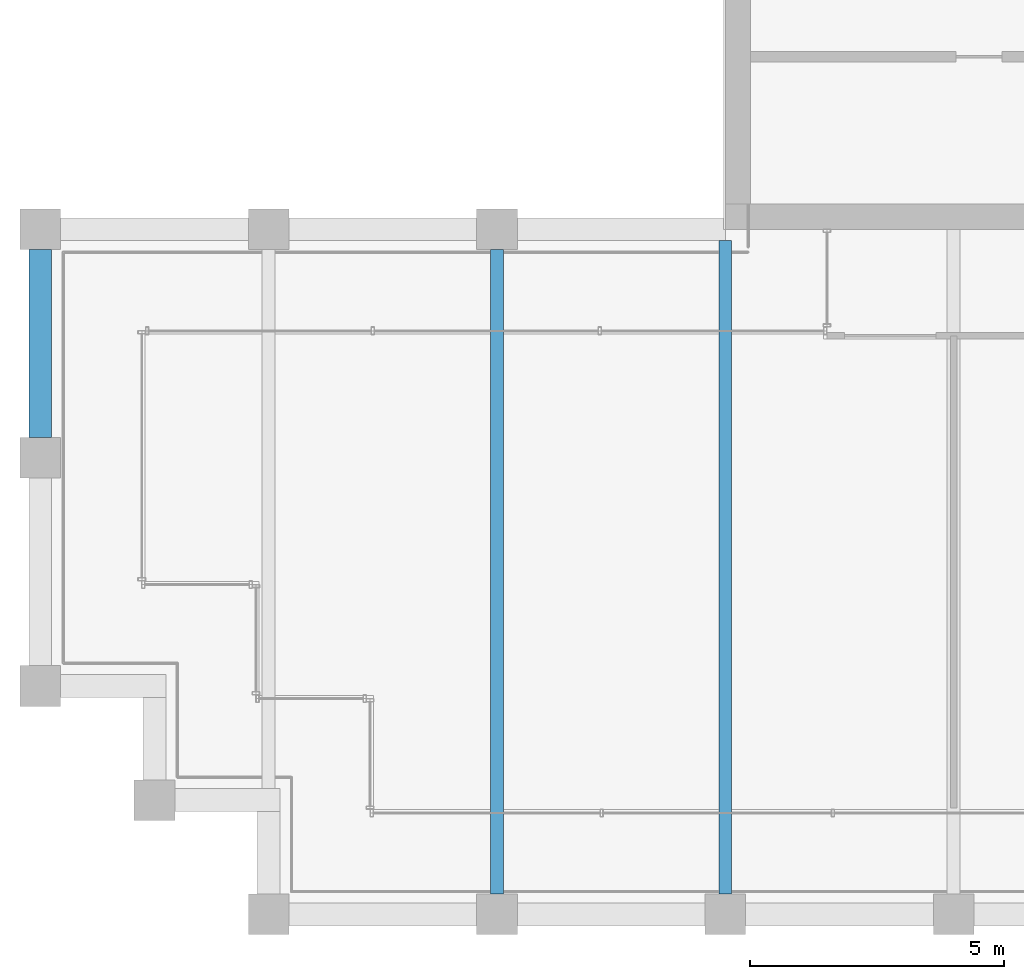
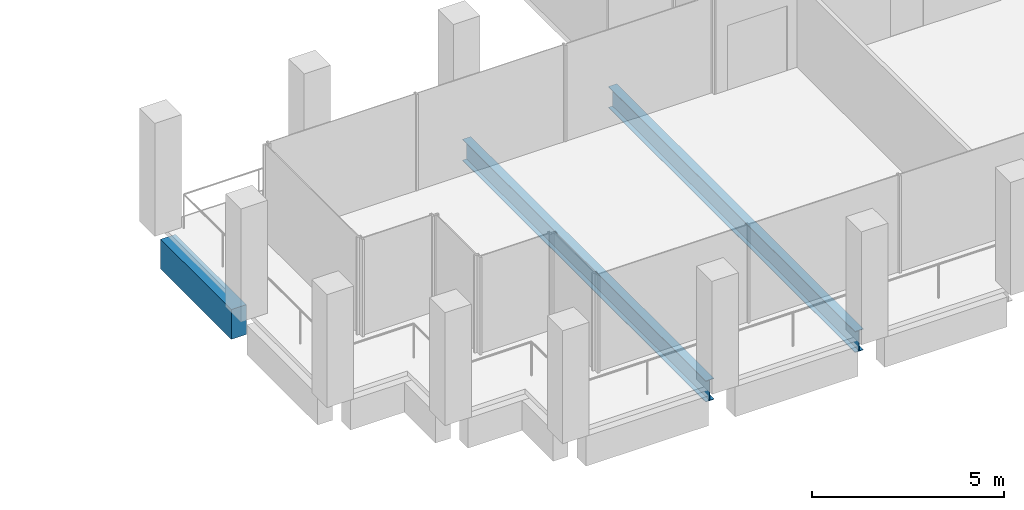
# One storey, part 4 of 40: 3 beams.
"""IFC4 building model written with IfcOpenShell, lengths in metres."""

from ifc_helpers import new_model, si_unit, direction, frame, origin, origin_2d, place, context, subcontext, project, spatial, rectangle, i_section, extrude, material, material_profile, profile_set, type_object, element, save


model = new_model("IFC4")

# Units and contexts
model_context = context("Model", 3, precision=1e-05, world=origin(), true_north=direction((0.0, 1.0)))
body_context = subcontext(model_context, "Body", "Model", "MODEL_VIEW")
ifc_project = project(units=[si_unit("LENGTHUNIT", "METRE"), si_unit("AREAUNIT", "SQUARE_METRE"), si_unit("VOLUMEUNIT", "CUBIC_METRE"), si_unit("PLANEANGLEUNIT", "RADIAN"), si_unit("MASSUNIT", "GRAM", prefix="KILO")], contexts=[model_context])

# Site, building, storey
site_placement = place(None, origin())
site = spatial("IfcSite", under=ifc_project, at=site_placement, CompositionType="ELEMENT")
building_placement = place(site_placement, origin())
building = spatial("IfcBuilding", under=site, at=building_placement, Name="Altepetl Exchange Towers", CompositionType="ELEMENT")
storey_placement = place(building_placement, frame((0.0, 0.0, 199.199951171875)))
storey = spatial("IfcBuildingStorey", under=building, at=storey_placement, Name="L50", CompositionType="ELEMENT", Elevation=199.199951171875)

# Beams
ifc_material_1 = material(Name="Steel S355", Category="steel")
ifc_material_profile_1 = material_profile(ifc_material_1, i_section(OverallWidth=0.2529296875, OverallDepth=0.677978515625, WebThickness=0.01171875, FlangeThickness=0.016357421875, at=origin_2d()), Name="W27X84")
ifc_profile_set_1 = profile_set([ifc_material_profile_1], Name="Steel S355")
beam_type_1 = type_object("IfcBeamType", Name="Floor beam W27X84", PredefinedType="BEAM", material=ifc_profile_set_1)
beam_1_placement = place(storey_placement, frame((36.0, 27.39990234375, -0.489013671875), z_axis=(0.0, 1.0, 0.0), x_axis=(-1.0, 0.0, 0.0)))
element("IfcBeam", 1, at=beam_1_placement, inside=storey, type_object=beam_type_1, Name="bm:A:L50:013", PredefinedType="BEAM", context=body_context, shape_type="SweptSolid", body=[
    extrude(i_section(OverallWidth=0.2529296875, OverallDepth=0.677978515625, WebThickness=0.01171875, FlangeThickness=0.016357421875, at=origin_2d()), origin(), (0.0, 0.0, 1.0), 12.7001953125),
])
beam_2_placement = place(storey_placement, frame((40.5, 27.39990234375, -0.489013671875), z_axis=(0.0, 1.0, 0.0), x_axis=(-1.0, 0.0, 0.0)))
element("IfcBeam", 2, at=beam_2_placement, inside=storey, type_object=beam_type_1, Name="bm:A:L50:014", PredefinedType="BEAM", context=body_context, shape_type="SweptSolid", body=[
    extrude(i_section(OverallWidth=0.2529296875, OverallDepth=0.677978515625, WebThickness=0.01171875, FlangeThickness=0.016357421875, at=origin_2d()), origin(), (0.0, 0.0, 1.0), 12.875),
])
ifc_material_2 = material(Name="Concrete C50/60 precast with cantera blanca facing", Category="concrete")
ifc_material_profile_2 = material_profile(ifc_material_2, rectangle(XDim=0.449951171875, YDim=0.949951171875, at=origin_2d()), Name="450 x 950")
ifc_profile_set_2 = profile_set([ifc_material_profile_2], Name="Concrete C50/60 precast with cantera blanca facing")
beam_type_2 = type_object("IfcBeamType", Name="Spandrel beam 450x950 cantera blanca", PredefinedType="SPANDREL", material=ifc_profile_set_2)
beam_3_placement = place(storey_placement, frame((27.0, 40.10009765625, -0.625), z_axis=(0.0, -1.0, 0.0), x_axis=(1.0, 0.0, 0.0)))
element("IfcBeam", 3, at=beam_3_placement, inside=storey, type_object=beam_type_2, Name="sp:A:L50:036", PredefinedType="SPANDREL", context=body_context, shape_type="SweptSolid", body=[
    extrude(rectangle(XDim=0.449951171875, YDim=0.949951171875, at=origin_2d()), origin(), (0.0, 0.0, 1.0), 3.7001953125),
])

save(model, "model.ifc")
